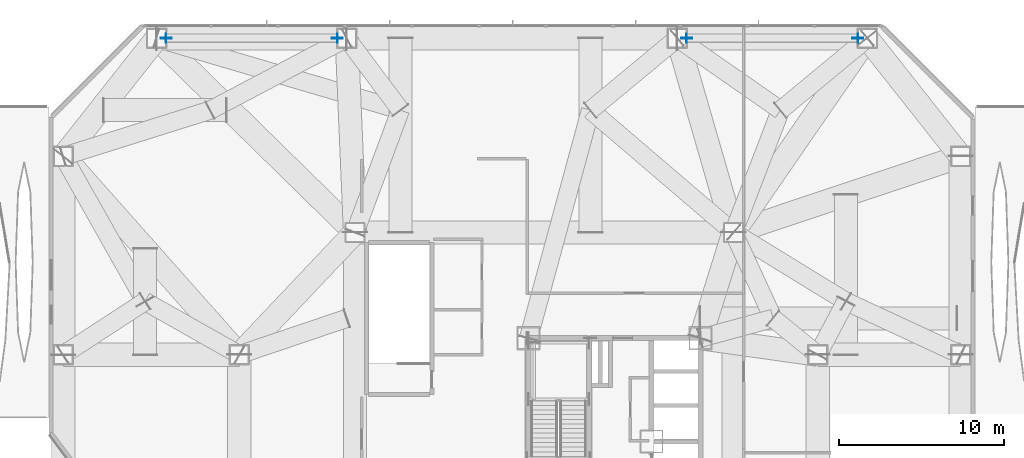
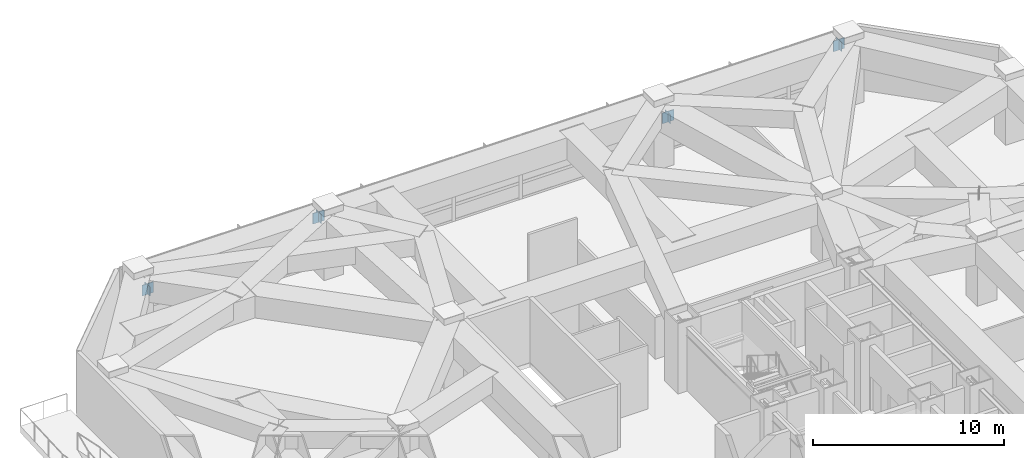
# One storey, part 19 of 27: 8 plates.
"""IFC4 building model written with IfcOpenShell, lengths in metres."""

from ifc_helpers import new_model, si_unit, direction, frame, origin, origin_2d, place, context, subcontext, project, spatial, rectangle, extrude, material, layer, layer_set, type_object, element, save


model = new_model("IFC4")

# Units and contexts
model_context = context("Model", 3, precision=1e-05, world=origin(), true_north=direction((0.0, 1.0)))
body_context = subcontext(model_context, "Body", "Model", "MODEL_VIEW")
ifc_project = project(units=[si_unit("LENGTHUNIT", "METRE"), si_unit("AREAUNIT", "SQUARE_METRE"), si_unit("VOLUMEUNIT", "CUBIC_METRE"), si_unit("PLANEANGLEUNIT", "RADIAN"), si_unit("MASSUNIT", "GRAM", prefix="KILO")], contexts=[model_context])

# Site, building, storey
site_placement = place(None, origin())
site = spatial("IfcSite", under=ifc_project, at=site_placement, CompositionType="ELEMENT")
building_placement = place(site_placement, origin())
building = spatial("IfcBuilding", under=site, at=building_placement, Name="Khamvora Tower", CompositionType="ELEMENT")
storey_placement = place(building_placement, frame((0.0, 0.0, 28.800048828125)))
storey = spatial("IfcBuildingStorey", under=building, at=storey_placement, Name="L06", CompositionType="ELEMENT", Elevation=28.800048828125)

# Plates
ifc_material_1 = material(Name="Steel S355", Category="steel")
ifc_layer_1 = layer(ifc_material_1, 0.02490234375)
ifc_layer_set_1 = layer_set([ifc_layer_1], Name="Steel S355")
plate_type_1 = type_object("IfcPlateType", Name="PL-CAP-25", PredefinedType="SHEET", material=ifc_layer_set_1)
for number, where, z_axis, x_axis, name in (
    (1, (7.06494140625, 55.14990234375, 2.44970703125), (0.0, 0.0, 1.0), (1.0, 0.0, 0.0), "L06 hollow section steel end cap plate 0456"),
    (2, (17.43505859375, 55.14990234375, 3.43408203125), (0.0, 0.0, 1.0), (1.0, 0.0, 0.0), "L06 hollow section steel end cap plate 0457"),
    (3, (38.56494140625, 55.14990234375, 2.44970703125), (0.0, 0.0, 1.0), (1.0, 0.0, 0.0), "L06 hollow section steel end cap plate 0458"),
    (4, (48.93505859375, 55.14990234375, 3.43408203125), (0.0, 0.0, 1.0), (1.0, 0.0, 0.0), "L06 hollow section steel end cap plate 0459"),
):
    element("IfcPlate", number, at=place(storey_placement, frame(where, z_axis=z_axis, x_axis=x_axis)), inside=storey, type_object=plate_type_1, Name=name, PredefinedType="SHEET", context=body_context, shape_type="SweptSolid", body=[
        extrude(rectangle(XDim=0.02490234375, YDim=0.568115234375, at=origin_2d()), origin(), (0.0, 0.0, 1.0), 0.568115234375),
    ])
ifc_material_2 = material(Name="Steel S460", Category="steel")
ifc_layer_2 = layer(ifc_material_2, 0.0400390625)
ifc_layer_set_2 = layer_set([ifc_layer_2], Name="Steel S460")
plate_type_2 = type_object("IfcPlateType", Name="PLT-GUS-40", PredefinedType="SHEET", material=ifc_layer_set_2)
for number, where, z_axis, x_axis, name in (
    (5, (7.076904296875, 55.14990234375, 2.39501953125), (0.0, 0.0, 1.0), (1.0, 0.0, 0.0), "L06 brace connection node gusset plate 0069"),
    (6, (17.423095703125, 55.14990234375, 3.376953125), (0.0, 0.0, 1.0), (1.0, 0.0, 0.0), "L06 brace connection node gusset plate 0070"),
    (7, (38.576904296875, 55.14990234375, 2.39501953125), (0.0, 0.0, 1.0), (1.0, 0.0, 0.0), "L06 brace connection node gusset plate 0071"),
    (8, (48.923095703125, 55.14990234375, 3.376953125), (0.0, 0.0, 1.0), (1.0, 0.0, 0.0), "L06 brace connection node gusset plate 0072"),
):
    element("IfcPlate", number, at=place(storey_placement, frame(where, z_axis=z_axis, x_axis=x_axis)), inside=storey, type_object=plate_type_2, Name=name, PredefinedType="SHEET", context=body_context, shape_type="SweptSolid", body=[
        extrude(rectangle(XDim=0.679931640625, YDim=0.0400390625, at=origin_2d()), origin(), (0.0, 0.0, 1.0), 0.679931640625),
    ])

save(model, "model.ifc")
